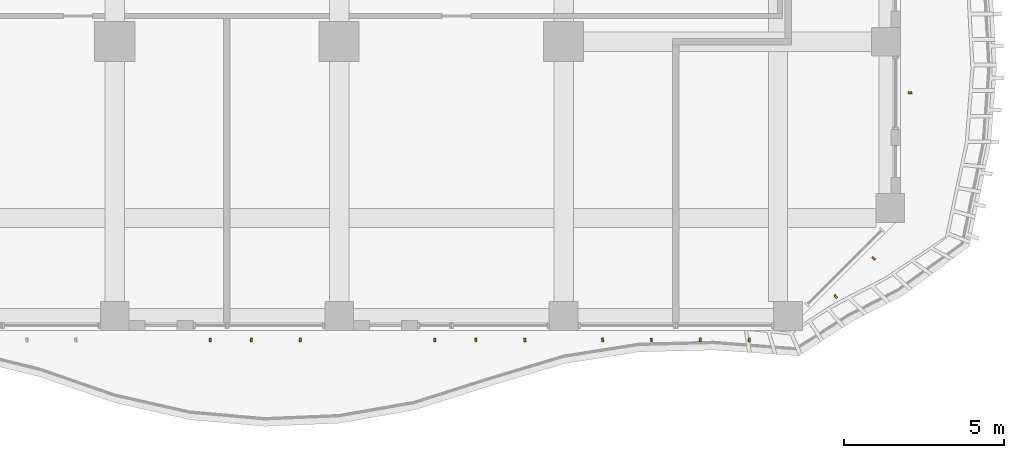
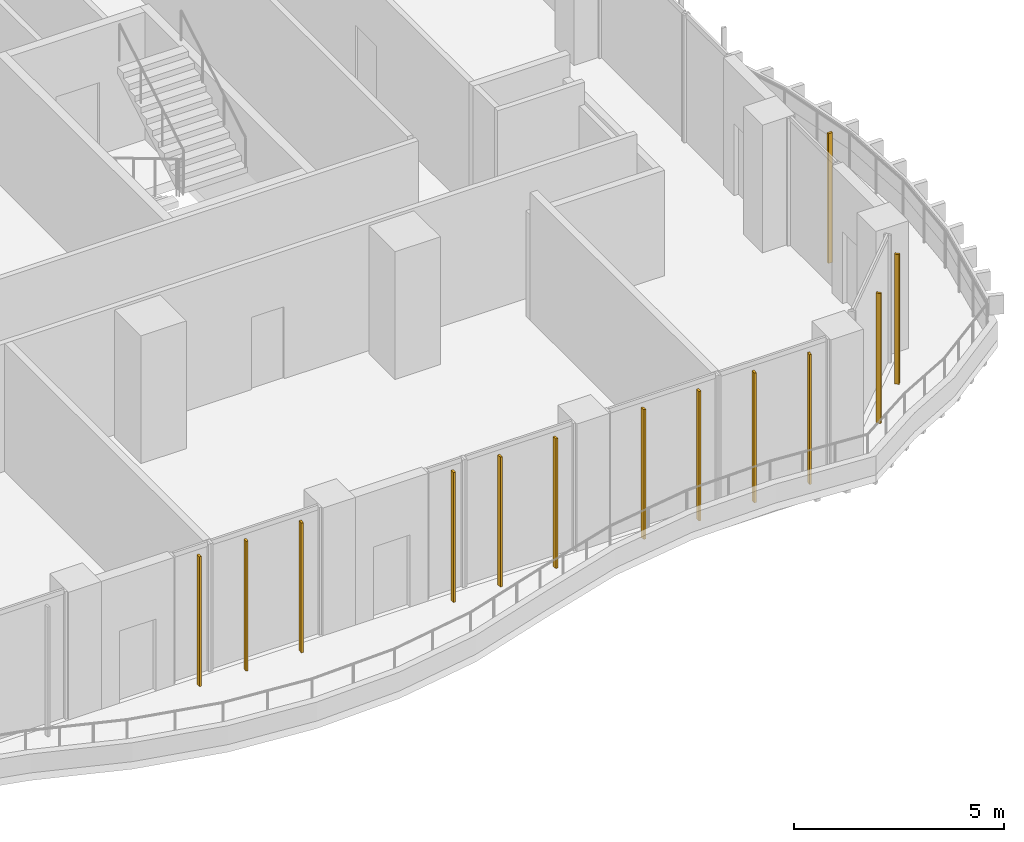
# One storey, part 23 of 28: 13 shading devices.
"""IFC4 building model written with IfcOpenShell, lengths in metres."""

from ifc_helpers import new_model, si_unit, direction, frame, origin, origin_2d, place, context, subcontext, project, spatial, rectangle, extrude, source, transform, mapped, material, material_profile, profile_set, type_object, element, save


model = new_model("IFC4")

# Units and contexts
model_context = context("Model", 3, precision=1e-05, world=origin(), true_north=direction((0.0, 1.0)))
body_context = subcontext(model_context, "Body", "Model", "MODEL_VIEW")
ifc_project = project(units=[si_unit("LENGTHUNIT", "METRE"), si_unit("AREAUNIT", "SQUARE_METRE"), si_unit("VOLUMEUNIT", "CUBIC_METRE"), si_unit("PLANEANGLEUNIT", "RADIAN"), si_unit("MASSUNIT", "GRAM", prefix="KILO")], contexts=[model_context])

# Site, building, storey
site_placement = place(None, origin())
site = spatial("IfcSite", under=ifc_project, at=site_placement, CompositionType="ELEMENT")
building_placement = place(site_placement, origin())
building = spatial("IfcBuilding", under=site, at=building_placement, Name="Kilnfold Tower and Market Hall", CompositionType="ELEMENT")
storey_placement = place(building_placement, frame((0.0, 0.0, 75.199951171875)))
storey = spatial("IfcBuildingStorey", under=building, at=storey_placement, Name="L17", CompositionType="ELEMENT", Elevation=75.199951171875)

# Shading devices
ifc_material = material(Name="Terracotta", Category="masonry")
ifc_material_profile = material_profile(ifc_material, rectangle(XDim=0.06005859375, YDim=0.1201171875, at=origin_2d()), Name="BAG 60x120")
ifc_profile_set = profile_set([ifc_material_profile], Name="Terracotta")
shading_device_type = type_object("IfcShadingDeviceType", Name="BAGUETTE", PredefinedType="USERDEFINED", material=ifc_profile_set)
shared_shape = source(origin(), body_context, "Body", "SweptSolid", [
    extrude(rectangle(XDim=0.06005859375, YDim=0.1201171875, at=origin_2d()), origin(), (0.0, 0.0, 1.0), 3.780029296875),
])
for number, where, z_axis, x_axis, name in (
    (1, (11.47509765625, -28.300048828125, 0.0), (0.0, 0.0, 1.0), (0.999999904044, 0.000438077628, 0.0), "Terracotta baguette L17 S"),
    (2, (12.762451171875, -28.300048828125, 0.0), (0.0, 0.0, 1.0), (0.997121175592, -0.075824542114, 0.0), "Terracotta baguette L17 S"),
    (3, (14.28759765625, -28.300048828125, 0.0), (0.0, 0.0, 1.0), (0.991182038023, -0.132507235653, 0.0), "Terracotta baguette L17 S"),
    (4, (18.47509765625, -28.300048828125, 0.0), (0.0, 0.0, 1.0), (0.999999904044, -0.000438077628, 0.0), "Terracotta baguette L17 S"),
    (5, (19.762451171875, -28.300048828125, 0.0), (0.0, 0.0, 1.0), (0.997121175592, 0.075824542114, 0.0), "Terracotta baguette L17 S"),
    (6, (21.28759765625, -28.300048828125, 0.0), (0.0, 0.0, 1.0), (0.991182038023, 0.132507235653, 0.0), "Terracotta baguette L17 S"),
    (7, (23.71240234375, -28.300048828125, 0.0), (0.0, 0.0, 1.0), (0.995044990236, 0.099425687856, 0.0), "Terracotta baguette L17 S"),
    (8, (25.237548828125, -28.300048828125, 0.0), (0.0, 0.0, 1.0), (0.999883097543, 0.015290233727, 0.0), "Terracotta baguette L17 S"),
    (9, (26.762451171875, -28.300048828125, 0.0), (0.0, 0.0, 1.0), (0.997121175592, -0.075824542114, 0.0), "Terracotta baguette L17 S"),
    (10, (28.28759765625, -28.300048828125, 0.0), (0.0, 0.0, 1.0), (0.991182038023, -0.132507235653, 0.0), "Terracotta baguette L17 S"),
    (11, (30.98095703125, -26.943359375, 0.0), (0.0, 0.0, 1.0), (0.755455656847, 0.655199779104, 0.0), "Terracotta baguette L17 SE"),
    (12, (32.16845703125, -25.755859375, 0.0), (0.0, 0.0, 1.0), (0.685169006481, 0.728384124317, 0.0), "Terracotta baguette L17 SE"),
    (13, (33.300048828125, -20.5908203125, 0.0), (0.0, 0.0, 1.0), (-0.067386672399, 0.997726934779, 0.0), "Terracotta baguette L17 E"),
):
    element("IfcShadingDevice", number, at=place(storey_placement, frame(where, z_axis=z_axis, x_axis=x_axis)), inside=storey, type_object=shading_device_type, Name=name, ObjectType="BAGUETTE", PredefinedType="USERDEFINED", context=body_context, shape_type="MappedRepresentation", body=[
        mapped(shared_shape, transform((0.0, 0.0, 0.0))),
    ])

save(model, "model.ifc")
